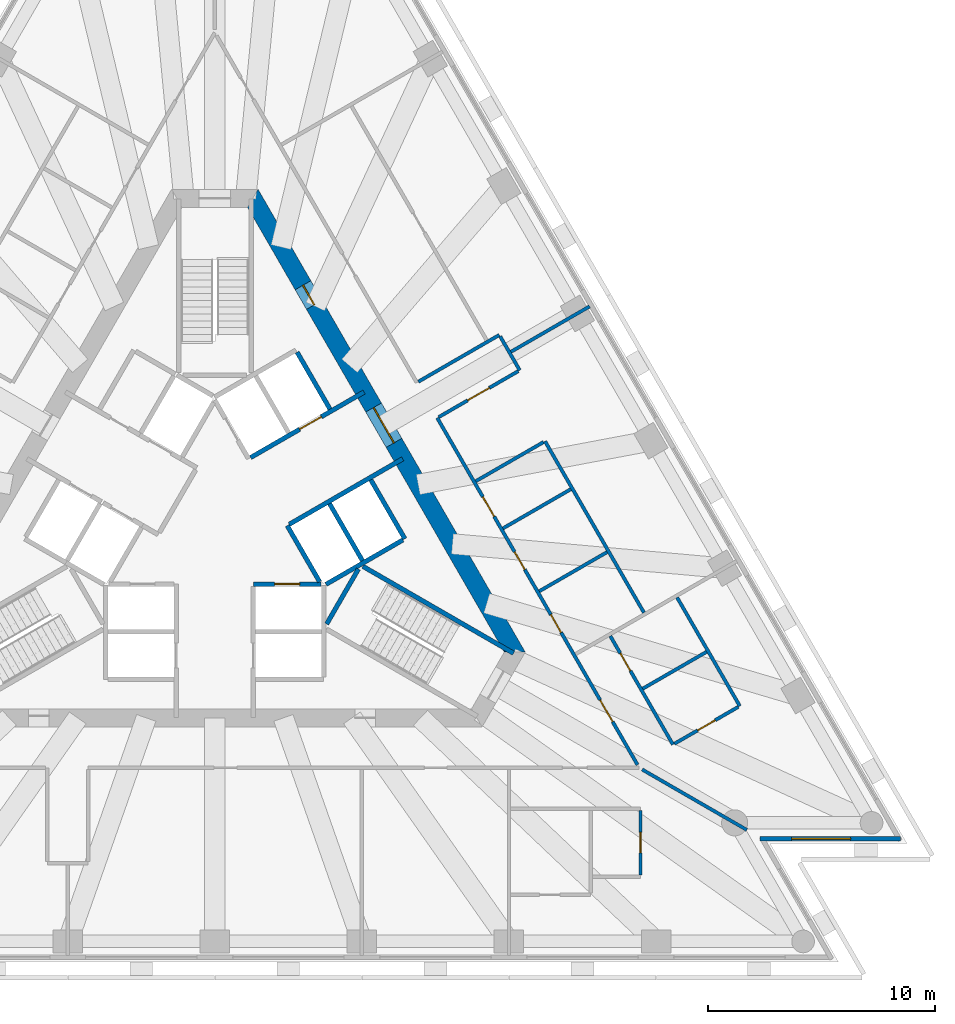
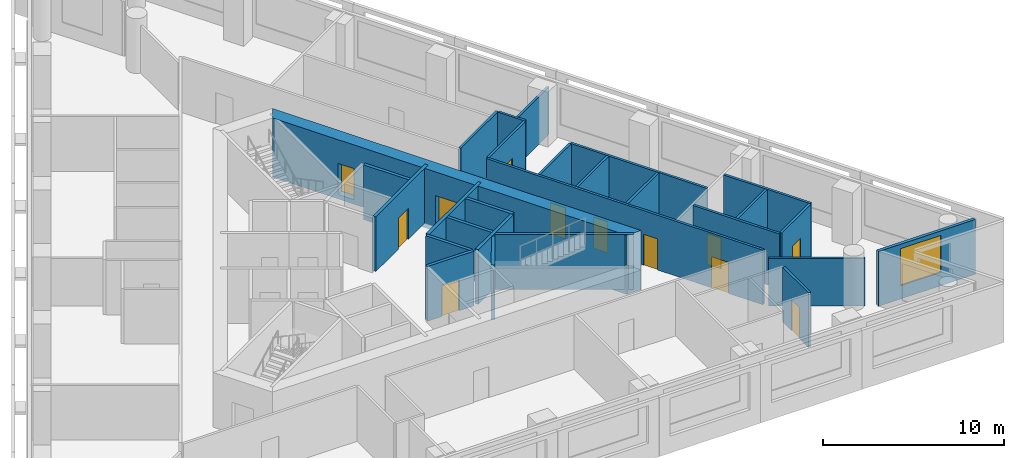
# One storey, part 5 of 9: 27 walls, 12 doors, 1 window, 13 openings.
"""IFC4 building model written with IfcOpenShell, lengths in metres."""

import ifcopenshell
import ifcopenshell.guid

model = None  # the IFC model being written
_history = None  # IfcOwnerHistory: only IFC2X3 demands one
_inside = {}  # id of a spatial element -> (the spatial element, [elements in it])
_under = {}  # id of a project, library or spatial element -> (it, [spatial elements below it])
_declared = {}  # id of a project -> (the project, [libraries it declares])
_typed = {}  # id of a type object -> (the type object, [elements of that type])
_made_of = {}  # id of a material, layer set ... -> (it, [elements and type objects made of it])


def new_model(schema):
    """Start an empty IFC model of exactly this schema.

    Asked for "IFC4X3", IfcOpenShell would pick the latest addendum, in which some entities
    have other attributes; the version numbers below select the first issue.
    IFC2X3 requires an IfcOwnerHistory on every rooted entity: one is made here for all.
    """
    global model, _history
    if schema == "IFC4X3":
        model = ifcopenshell.file(schema_version=(4, 3, 0, 0))
    else:
        model = ifcopenshell.file(schema=schema)
    _inside.clear()
    _under.clear()
    _declared.clear()
    _typed.clear()
    _made_of.clear()
    _history = None
    if model.schema == "IFC2X3":
        org = make("IfcOrganization", Name="unknown")
        user = make(
            "IfcPersonAndOrganization",
            ThePerson=make("IfcPerson", FamilyName="unknown"),
            TheOrganization=org,
        )
        app = make(
            "IfcApplication",
            ApplicationDeveloper=org,
            Version="unknown",
            ApplicationFullName="unknown",
            ApplicationIdentifier="unknown",
        )
        _history = make(
            "IfcOwnerHistory",
            OwningUser=user,
            OwningApplication=app,
            ChangeAction="ADDED",
            CreationDate=0,
        )
    return model


def make(cls, **values):
    """One entity of the class cls with the attributes given. An attribute that is None is left unset."""
    return model.create_entity(
        cls, **{name: value for name, value in values.items() if value is not None}
    )


def rooted(cls, **values):
    """An entity with a GlobalId (a new one), such as an element, a storey or a relation."""
    return make(cls, GlobalId=ifcopenshell.guid.new(), OwnerHistory=_history, **values)


def si_unit(unit_type, name, prefix=None):
    """IfcSIUnit, for example si_unit("LENGTHUNIT", "METRE", prefix="MILLI")."""
    return make("IfcSIUnit", UnitType=unit_type, Prefix=prefix, Name=name)


def assignment(units):
    """IfcUnitAssignment: the units of a project."""
    return None if units is None else make("IfcUnitAssignment", Units=units)


def point(xyz):
    """IfcCartesianPoint."""
    return None if xyz is None else make("IfcCartesianPoint", Coordinates=xyz)


def direction(xyz):
    """IfcDirection."""
    return None if xyz is None else make("IfcDirection", DirectionRatios=xyz)


def frame(location, z_axis=None, x_axis=None):
    """IfcAxis2Placement3D, a coordinate frame: its origin and axes. An axis left out is left unset."""
    return make(
        "IfcAxis2Placement3D",
        Location=point(location),
        Axis=direction(z_axis),
        RefDirection=direction(x_axis),
    )


def frame_2d(location, x_axis=None):
    """IfcAxis2Placement2D, a coordinate frame in the plane: its origin and x axis."""
    return make(
        "IfcAxis2Placement2D", Location=point(location), RefDirection=direction(x_axis)
    )


def origin():
    """The frame at (0, 0, 0) with its axes left unset."""
    return frame((0.0, 0.0, 0.0))


def place(relative_to, where):
    """IfcLocalPlacement: puts the frame where relative to a parent placement (None: the world)."""
    return make(
        "IfcLocalPlacement", PlacementRelTo=relative_to, RelativePlacement=where
    )


def context(
    kind, dimensions, precision=None, world=None, true_north=None, identifier=None
):
    """IfcGeometricRepresentationContext, for example the 3D "Model" context."""
    return make(
        "IfcGeometricRepresentationContext",
        ContextIdentifier=identifier,
        ContextType=kind,
        CoordinateSpaceDimension=dimensions,
        Precision=precision,
        WorldCoordinateSystem=world,
        TrueNorth=true_north,
    )


def subcontext(parent, identifier, kind, view, scale=None):
    """IfcGeometricRepresentationSubContext, for example "Body" below "Model"."""
    return make(
        "IfcGeometricRepresentationSubContext",
        ContextIdentifier=identifier,
        ContextType=kind,
        ParentContext=parent,
        TargetScale=scale,
        TargetView=view,
    )


def project(units=None, contexts=None):
    """IfcProject with its units and contexts."""
    return rooted(
        "IfcProject",
        Name="project",
        RepresentationContexts=contexts,
        UnitsInContext=assignment(units),
    )


def spatial(cls, under=None, at=None, **own):
    """A site, building, storey or space (cls), placed at a placement, below another one or the project."""
    s = rooted(cls, ObjectPlacement=at, **own)
    if under is not None:
        _under.setdefault(under.id(), (under, []))[1].append(s)
    return s


def polyline(points):
    """IfcPolyline through the points."""
    return make("IfcPolyline", Points=[point(p) for p in points])


def profile(cls, at=None, kind="AREA", **sizes):
    """A parametric profile (cls). Its sizes go by their IFC names, for example OverallWidth=200.0."""
    return make(cls, ProfileType=kind, Position=at, **sizes)


def rectangle(**sizes):
    """IfcRectangleProfileDef."""
    return profile("IfcRectangleProfileDef", **sizes)


def outline(outer, holes=None, kind="AREA"):
    """IfcArbitraryClosedProfileDef: a profile drawn as a closed curve; with holes, ...WithVoids."""
    if holes is None:
        return make("IfcArbitraryClosedProfileDef", ProfileType=kind, OuterCurve=outer)
    return make(
        "IfcArbitraryProfileDefWithVoids",
        ProfileType=kind,
        OuterCurve=outer,
        InnerCurves=holes,
    )


def extrude(swept, where, along, depth):
    """IfcExtrudedAreaSolid: the profile swept, set in the frame where, extruded along a direction by depth."""
    return make(
        "IfcExtrudedAreaSolid",
        SweptArea=swept,
        Position=where,
        ExtrudedDirection=direction(along),
        Depth=depth,
    )


def shape(context_of_items, identifier, shape_type, items):
    """IfcShapeRepresentation: the items that make up one representation, for example the "Body"."""
    return make(
        "IfcShapeRepresentation",
        ContextOfItems=context_of_items,
        RepresentationIdentifier=identifier,
        RepresentationType=shape_type,
        Items=items,
    )


def material(Name=None, Category=None):
    """IfcMaterial."""
    return make("IfcMaterial", Name=Name, Category=Category)


def layer(
    of_material, thickness, ventilated=None, Name=None, Category=None, Priority=None
):
    """IfcMaterialLayer: one layer of a wall or slab, of a material (None: an air gap)."""
    return make(
        "IfcMaterialLayer",
        Material=of_material,
        LayerThickness=thickness,
        IsVentilated=ventilated,
        Name=Name,
        Category=Category,
        Priority=Priority,
    )


def layer_set(layers, Name=None):
    """IfcMaterialLayerSet."""
    return make("IfcMaterialLayerSet", MaterialLayers=layers, LayerSetName=Name)


def layer_usage(for_layer_set, set_direction, sense, offset, extent=None):
    """IfcMaterialLayerSetUsage: how a layer set lies in its element."""
    return make(
        "IfcMaterialLayerSetUsage",
        ForLayerSet=for_layer_set,
        LayerSetDirection=set_direction,
        DirectionSense=sense,
        OffsetFromReferenceLine=offset,
        ReferenceExtent=extent,
    )


def made_of(thing, what):
    """Note that an element or type object is made of a material, layer set ...; save() writes the relation."""
    if what is not None:
        _made_of.setdefault(what.id(), (what, []))[1].append(thing)
    return thing


def type_object(cls, material=None, **own):
    """A type object (cls), such as IfcWallType, which elements share."""
    return made_of(rooted(cls, **own), material)


def element(
    cls,
    number,
    at=None,
    inside=None,
    cuts=None,
    type_object=None,
    material=None,
    context=None,
    identifier="Body",
    shape_type=None,
    held_by="IfcProductDefinitionShape",
    body=None,
    shapes=None,
    **own,
):
    """One element of the class cls, such as IfcWall. Its Tag is "e" and its number.

    at: its placement. inside: the storey or other place that contains it. cuts: it is an
    opening in that element (IfcRelVoidsElement). A single representation is given by context,
    identifier, shape_type and body (its items); several are given by shapes. held_by: the class
    of the entity that holds the representations. save() writes the other relations.
    """
    e = rooted(cls, Tag="e%d" % number, ObjectPlacement=at, **own)
    if body is not None:
        shapes = [shape(context, identifier, shape_type, body)]
    if shapes is not None:
        e.Representation = make(held_by, Representations=shapes)
    if inside is not None:
        _inside.setdefault(inside.id(), (inside, []))[1].append(e)
    if cuts is not None:
        rooted(
            "IfcRelVoidsElement", RelatingBuildingElement=cuts, RelatedOpeningElement=e
        )
    if type_object is not None:
        _typed.setdefault(type_object.id(), (type_object, []))[1].append(e)
    return made_of(e, material)


def fill(opening, filler):
    """IfcRelFillsElement: the door or window that sits in an opening."""
    return rooted(
        "IfcRelFillsElement",
        RelatingOpeningElement=opening,
        RelatedBuildingElement=filler,
    )


def aggregate(whole, parts):
    """IfcRelAggregates: a whole, such as a stair, and the parts it consists of."""
    return rooted("IfcRelAggregates", RelatingObject=whole, RelatedObjects=parts)


def save(model, path):
    """Write the relations noted so far, then the file.

    IfcRelAggregates (storeys below a building ...), IfcRelContainedInSpatialStructure (elements
    in a storey), IfcRelDefinesByType, IfcRelAssociatesMaterial and IfcRelDeclares: one each for
    every whole, place, type object, material and project.
    """
    for whole, parts in _under.values():
        aggregate(whole, parts)
    for where, things in _inside.values():
        rooted(
            "IfcRelContainedInSpatialStructure",
            RelatedElements=things,
            RelatingStructure=where,
        )
    for kind, things in _typed.values():
        rooted("IfcRelDefinesByType", RelatedObjects=things, RelatingType=kind)
    for what, things in _made_of.values():
        rooted("IfcRelAssociatesMaterial", RelatedObjects=things, RelatingMaterial=what)
    for by, libraries in _declared.values():
        rooted("IfcRelDeclares", RelatingContext=by, RelatedDefinitions=libraries)
    model.write(path)


model = new_model("IFC4")

# Units and contexts
model_context = context("Model", 3, precision=1e-05, world=origin(), true_north=direction((0.0, 1.0)))
body_context = subcontext(model_context, "Body", "Model", "MODEL_VIEW")
ifc_project = project(units=[si_unit("LENGTHUNIT", "METRE"), si_unit("AREAUNIT", "SQUARE_METRE"), si_unit("VOLUMEUNIT", "CUBIC_METRE"), si_unit("PLANEANGLEUNIT", "RADIAN"), si_unit("MASSUNIT", "GRAM", prefix="KILO")], contexts=[model_context])

# Site, building, storey
site_placement = place(None, origin())
site = spatial("IfcSite", under=ifc_project, at=site_placement, CompositionType="ELEMENT")
building_placement = place(site_placement, origin())
building = spatial("IfcBuilding", under=site, at=building_placement, Name="Triada Interchange Tower", CompositionType="ELEMENT")
storey_placement = place(building_placement, frame((0.0, 0.0, 168.300048828125)))
storey = spatial("IfcBuildingStorey", under=building, at=storey_placement, Name="L39", CompositionType="ELEMENT", Elevation=168.300048828125)

# Wall, opening, door
ifc_material_1 = material(Name="Concrete C30/37", Category="concrete")
ifc_layer_1 = layer(ifc_material_1, 0.199951171875)
ifc_layer_set_1 = layer_set([ifc_layer_1], Name="CORE WALL 200 EI 120")
wall_type_1 = type_object("IfcWallType", Name="CORE WALL 200 EI 120", PredefinedType="SOLIDWALL", material=ifc_layer_set_1)
wall_1_placement = place(storey_placement, frame((1.702880859375, -2.699951171875, 0.0), z_axis=(0.0, 0.0, 1.0), x_axis=(1.0, 0.0, 0.0)))
wall_1 = element("IfcWall", 1, at=wall_1_placement, inside=storey, type_object=wall_type_1, Name="Wall L38 57", PredefinedType="SOLIDWALL", context=body_context, shape_type="SweptSolid", body=[
    extrude(rectangle(XDim=2.97314453125, YDim=0.199951171875, at=frame_2d((1.486572265625, 0.0))), origin(), (0.0, 0.0, 1.0), 3.699951171875),
])
opening_1_placement = place(wall_1_placement, frame((0.93603515625, 0.0, 0.0)))
opening_1 = element("IfcOpeningElement", 2, at=opening_1_placement, cuts=wall_1, Name="Opening LD-LR1", PredefinedType="OPENING", context=body_context, shape_type="SweptSolid", body=[
    extrude(rectangle(XDim=1.10009765625, YDim=2.10009765625, at=frame_2d((0.550048828125, 1.050048828125))), frame((0.0, 0.10986328125, 0.0), z_axis=(0.0, -1.0, 0.0), x_axis=(1.0, 0.0, 0.0)), (0.0, 0.0, 1.0), 0.219970703125),
])
ifc_material_2 = material(Name="Steel S235 door leaf", Category="steel")
door_type_1 = type_object("IfcDoorType", Name="LIFT LANDING DOOR 1100 EI 120", OperationType="SLIDING_TO_LEFT", PredefinedType="DOOR", material=ifc_material_2)
door_1_placement = place(opening_1_placement, origin())
door_1 = element("IfcDoor", 3, at=door_1_placement, inside=storey, type_object=door_type_1, Name="LR1 landing door L39", OperationType="SLIDING_TO_LEFT", OverallHeight=2.10009765625, OverallWidth=1.10009765625, PredefinedType="DOOR", context=body_context, shape_type="SweptSolid", body=[
    extrude(rectangle(XDim=1.10009765625, YDim=2.10009765625, at=frame_2d((0.550048828125, 1.050048828125))), frame((0.0, 0.02490234375, 0.0), z_axis=(0.0, -1.0, 0.0), x_axis=(1.0, 0.0, 0.0)), (0.0, 0.0, 1.0), 0.050048828125),
])
fill(opening_1, door_1)

# Wall
wall_2_placement = place(storey_placement, frame((3.18994140625, -0.125, 0.0), z_axis=(0.0, 0.0, 1.0), x_axis=(0.499988658015, -0.866031951983, 0.0)))
element("IfcWall", 4, at=wall_2_placement, inside=storey, type_object=wall_type_1, Name="Wall L38 60", PredefinedType="SOLIDWALL", context=body_context, shape_type="SweptSolid", body=[
    extrude(rectangle(XDim=2.85791015625, YDim=0.199951171875, at=frame_2d((1.428955078125, 0.0))), origin(), (0.0, 0.0, 1.0), 3.699951171875),
])

# Wall, opening, door
wall_3_placement = place(storey_placement, frame((1.576904296875, 2.8740234375, 0.0), z_axis=(0.0, 0.0, 1.0), x_axis=(0.866073694534, 0.499916348638, 0.0)))
wall_3 = element("IfcWall", 5, at=wall_3_placement, inside=storey, type_object=wall_type_1, Name="Wall L38 61", PredefinedType="SOLIDWALL", context=body_context, shape_type="SweptSolid", body=[
    extrude(rectangle(XDim=5.77685546875, YDim=0.199951171875, at=frame_2d((2.888427734375, 0.0))), origin(), (0.0, 0.0, 1.0), 3.699951171875),
])
opening_2_placement = place(wall_3_placement, frame((2.4970703125, 0.0, 0.0)))
opening_2 = element("IfcOpeningElement", 6, at=opening_2_placement, cuts=wall_3, Name="Opening LD-LR6", PredefinedType="OPENING", context=body_context, shape_type="SweptSolid", body=[
    extrude(rectangle(XDim=1.10009765625, YDim=2.10009765625, at=frame_2d((0.550048828125, 1.050048828125))), frame((0.0, 0.10986328125, 0.0), z_axis=(0.0, -1.0, 0.0), x_axis=(1.0, 0.0, 0.0)), (0.0, 0.0, 1.0), 0.219970703125),
])
door_2_placement = place(opening_2_placement, origin())
door_2 = element("IfcDoor", 7, at=door_2_placement, inside=storey, type_object=door_type_1, Name="LR6 landing door L39", OperationType="SLIDING_TO_LEFT", OverallHeight=2.10009765625, OverallWidth=1.10009765625, PredefinedType="DOOR", context=body_context, shape_type="SweptSolid", body=[
    extrude(rectangle(XDim=1.10009765625, YDim=2.10009765625, at=frame_2d((0.550048828125, 1.050048828125))), frame((0.0, 0.02490234375, 0.0), z_axis=(0.0, -1.0, 0.0), x_axis=(1.0, 0.0, 0.0)), (0.0, 0.0, 1.0), 0.050048828125),
])
fill(opening_2, door_2)

# Walls
wall_4_placement = place(storey_placement, frame((3.6259765625, 7.52001953125, 0.0), z_axis=(0.0, 0.0, 1.0), x_axis=(0.500060147554, -0.865990674793, 0.0)))
element("IfcWall", 8, at=wall_4_placement, inside=storey, type_object=wall_type_1, Name="Wall L38 64", PredefinedType="SOLIDWALL", context=body_context, shape_type="SweptSolid", body=[
    extrude(rectangle(XDim=2.899658203125, YDim=0.199951171875, at=frame_2d((1.44970703125, 0.0))), origin(), (0.0, 0.0, 1.0), 3.699951171875),
])
wall_5_placement = place(storey_placement, frame((6.8759765625, 1.89111328125, 0.0), z_axis=(0.0, 0.0, 1.0), x_axis=(0.499990139034, -0.866031096941, 0.0)))
element("IfcWall", 9, at=wall_5_placement, inside=storey, type_object=wall_type_1, Name="Wall L38 65", PredefinedType="SOLIDWALL", context=body_context, shape_type="SweptSolid", body=[
    extrude(rectangle(XDim=3.0, YDim=0.199951171875, at=frame_2d((1.5, 0.0))), origin(), (0.0, 0.0, 1.0), 3.699951171875),
])
wall_6_placement = place(storey_placement, frame((5.056884765625, 0.841064453125, 0.0), z_axis=(0.0, 0.0, 1.0), x_axis=(0.50012328804, -0.865954211699, 0.0)))
element("IfcWall", 10, at=wall_6_placement, inside=storey, type_object=wall_type_1, Name="Wall L38 67", PredefinedType="SOLIDWALL", context=body_context, shape_type="SweptSolid", body=[
    extrude(rectangle(XDim=2.899658203125, YDim=0.199951171875, at=frame_2d((1.44970703125, 0.0))), origin(), (0.0, 0.0, 1.0), 3.699951171875),
])
wall_7_placement = place(storey_placement, frame((3.278076171875, -0.071044921875, 0.0), z_axis=(0.0, 0.0, 1.0), x_axis=(0.865929348003, 0.5001663366, 0.0)))
element("IfcWall", 11, at=wall_7_placement, inside=storey, type_object=wall_type_1, Name="Wall L38 68", PredefinedType="SOLIDWALL", context=body_context, shape_type="SweptSolid", body=[
    extrude(rectangle(XDim=5.7763671875, YDim=0.199951171875, at=frame_2d((2.88818359375, 0.0))), origin(), (0.0, 0.0, 1.0), 3.699951171875),
])
wall_8_placement = place(storey_placement, frame((4.89990234375, -2.714111328125, 0.0), z_axis=(0.0, 0.0, 1.0), x_axis=(0.865992350556, 0.500057245502, 0.0)))
element("IfcWall", 12, at=wall_8_placement, inside=storey, type_object=wall_type_1, Name="Wall L38 69", PredefinedType="SOLIDWALL", context=body_context, shape_type="SweptSolid", body=[
    extrude(rectangle(XDim=3.91357421875, YDim=0.199951171875, at=frame_2d((1.956787109375, 0.0))), origin(), (0.0, 0.0, 1.0), 3.699951171875),
])
ifc_layer_2 = layer(ifc_material_1, 0.199951171875)
ifc_layer_set_2 = layer_set([ifc_layer_2], Name="CORE WALL 200 REI 240")
wall_type_2 = type_object("IfcWallType", Name="CORE WALL 200 REI 240", PredefinedType="SOLIDWALL", material=ifc_layer_set_2)
wall_9_placement = place(storey_placement, frame((4.928955078125, -4.4619140625, 0.0), z_axis=(0.0, 0.0, 1.0), x_axis=(0.500200581029, 0.865909567298, 0.0)))
element("IfcWall", 13, at=wall_9_placement, inside=storey, type_object=wall_type_2, Name="Wall L38 92", PredefinedType="SOLIDWALL", context=body_context, shape_type="SweptSolid", body=[
    extrude(rectangle(XDim=2.799072265625, YDim=0.199951171875, at=frame_2d((1.3994140625, 0.0))), origin(), (0.0, 0.0, 1.0), 3.699951171875),
])
wall_10_placement = place(storey_placement, frame((6.529052734375, -1.922119140625, 0.0), z_axis=(0.0, 0.0, 1.0), x_axis=(0.866060938598, -0.499938446846, 0.0)))
element("IfcWall", 14, at=wall_10_placement, inside=storey, type_object=wall_type_2, Name="Wall L38 93", PredefinedType="SOLIDWALL", context=body_context, shape_type="SweptSolid", body=[
    extrude(rectangle(XDim=7.66455078125, YDim=0.199951171875, at=frame_2d((3.832275390625, 0.0))), origin(), (0.0, 0.0, 1.0), 3.699951171875),
])

# Wall, openings, doors
ifc_material_3 = material(Name="Concrete C60/75", Category="concrete")
ifc_layer_3 = layer(ifc_material_3, 0.800048828125)
ifc_layer_set_3 = layer_set([ifc_layer_3], Name="Core wall B 800")
wall_type_3 = type_object("IfcWallType", Name="Core wall B 800", PredefinedType="SHEAR", material=ifc_layer_set_3)
wall_11_placement = place(storey_placement, frame((13.220947265625, -5.699951171875, -0.300048828125), z_axis=(0.0, 0.0, 1.0), x_axis=(-0.499995765644, 0.866027848477, 0.0)))
wall_11 = element("IfcWall", 15, at=wall_11_placement, inside=storey, type_object=wall_type_3, Name="Core wall WB06 L39", PredefinedType="SHEAR", context=body_context, shape_type="SweptSolid", body=[
    extrude(outline(polyline([(-0.23095703125, -0.39990234375), (1.73193359375, -0.39990234375), (3.695068359375, -0.39990234375), (5.657958984375, -0.39990234375), (7.62109375, -0.39990234375), (9.583984375, -0.39990234375), (11.546875, -0.39990234375), (13.510009765625, -0.39990234375), (15.472900390625, -0.39990234375), (17.43603515625, -0.39990234375), (19.39892578125, -0.39990234375), (21.362060546875, -0.39990234375), (23.324951171875, -0.39990234375), (22.863037109375, 0.39990234375), (20.97705078125, 0.39990234375), (19.091064453125, 0.39990234375), (17.205078125, 0.39990234375), (15.319091796875, 0.39990234375), (13.43310546875, 0.39990234375), (11.546875, 0.39990234375), (9.660888671875, 0.39990234375), (7.77490234375, 0.39990234375), (5.888916015625, 0.39990234375), (4.0029296875, 0.39990234375), (2.116943359375, 0.39990234375), (0.23095703125, 0.39990234375), (-0.23095703125, -0.39990234375)])), origin(), (0.0, 0.0, 1.0), 4.0),
])
opening_3_placement = place(wall_11_placement, frame((10.64697265625, 0.0, 0.300048828125)))
opening_3 = element("IfcOpeningElement", 16, at=opening_3_placement, cuts=wall_11, Name="Opening D38-35", PredefinedType="OPENING", context=body_context, shape_type="SweptSolid", body=[
    extrude(rectangle(XDim=1.800048828125, YDim=2.10009765625, at=frame_2d((0.89990234375, 1.050048828125))), frame((0.0, 0.409912109375, 0.0), z_axis=(0.0, -1.0, 0.0), x_axis=(1.0, 0.0, 0.0)), (0.0, 0.0, 1.0), 0.820068359375),
])
opening_4_placement = place(wall_11_placement, frame((17.6708984375, 0.0, 0.300048828125)))
opening_4 = element("IfcOpeningElement", 17, at=opening_4_placement, cuts=wall_11, Name="Opening D38-41", PredefinedType="OPENING", context=body_context, shape_type="SweptSolid", body=[
    extrude(rectangle(XDim=1.0, YDim=2.10009765625, at=frame_2d((0.5, 1.050048828125))), frame((0.0, 0.409912109375, 0.0), z_axis=(0.0, -1.0, 0.0), x_axis=(1.0, 0.0, 0.0)), (0.0, 0.0, 1.0), 0.820068359375),
])
door_type_2 = type_object("IfcDoorType", Name="LOBBY DOOR 1800 EI2 90-C5S200", OperationType="DOUBLE_DOOR_SINGLE_SWING", PredefinedType="DOOR", material=ifc_material_2)
door_3_placement = place(opening_3_placement, origin())
door_3 = element("IfcDoor", 18, at=door_3_placement, inside=storey, type_object=door_type_2, Name="Door D38-35 L39", OperationType="DOUBLE_DOOR_SINGLE_SWING", OverallHeight=2.10009765625, OverallWidth=1.800048828125, PredefinedType="DOOR", context=body_context, shape_type="SweptSolid", body=[
    extrude(rectangle(XDim=1.800048828125, YDim=2.10009765625, at=frame_2d((0.89990234375, 1.050048828125))), frame((0.0, 0.02490234375, 0.0), z_axis=(0.0, -1.0, 0.0), x_axis=(1.0, 0.0, 0.0)), (0.0, 0.0, 1.0), 0.050048828125),
])
fill(opening_3, door_3)
door_type_3 = type_object("IfcDoorType", Name="SERVICE DOOR 1000 EI2 45-C5S200", OperationType="NOTDEFINED", PredefinedType="DOOR", material=ifc_material_2)
door_4_placement = place(opening_4_placement, origin())
door_4 = element("IfcDoor", 19, at=door_4_placement, inside=storey, type_object=door_type_3, Name="Door D38-41 L39", OperationType="SINGLE_SWING_RIGHT", OverallHeight=2.10009765625, OverallWidth=1.0, PredefinedType="DOOR", context=body_context, shape_type="SweptSolid", body=[
    extrude(rectangle(XDim=1.0, YDim=2.10009765625, at=frame_2d((0.5, 1.050048828125))), frame((0.0, 0.02490234375, 0.0), z_axis=(0.0, -1.0, 0.0), x_axis=(1.0, 0.0, 0.0)), (0.0, 0.0, 1.0), 0.050048828125),
])
fill(opening_4, door_4)

# Wall, opening, window
ifc_material_4 = material(Name="Cement board")
ifc_layer_4 = layer(ifc_material_4, 0.02001953125, Name="Cement board cladding")
ifc_material_5 = material(Name="Sheathing board")
ifc_layer_5 = layer(ifc_material_5, 0.014892578125, Name="Sheathing board")
ifc_material_6 = material(Name="Mineral wool")
ifc_layer_6 = layer(ifc_material_6, 0.14990234375, Name="Mineral wool between steel studs")
ifc_material_7 = material(Name="Gypsum board")
ifc_layer_7 = layer(ifc_material_7, 0.014892578125, Name="Plasterboard lining")
ifc_layer_set_4 = layer_set([ifc_layer_4, ifc_layer_5, ifc_layer_6, ifc_layer_7], Name="External wall 200")
ifc_layer_usage = layer_usage(ifc_layer_set_4, "AXIS2", "POSITIVE", -0.10009765625)
wall_type_4 = type_object("IfcWallType", Name="External wall 200", PredefinedType="ELEMENTEDWALL", material=ifc_layer_set_4)
wall_12_placement = place(storey_placement, frame((24.034912109375, -13.927978515625, 0.0), z_axis=(0.0, 0.0, 1.0), x_axis=(1.0, 0.0, 0.0)))
wall_12 = element("IfcWall", 20, at=wall_12_placement, inside=storey, type_object=wall_type_4, material=ifc_layer_usage, Name="External wall L39 SE-2", PredefinedType="ELEMENTEDWALL", context=body_context, shape_type="SweptSolid", body=[
    extrude(rectangle(XDim=6.194091796875, YDim=0.199951171875, at=frame_2d((3.09716796875, 0.0))), origin(), (0.0, 0.0, 1.0), 3.699951171875),
])
opening_5_placement = place(wall_12_placement, frame((1.389892578125, 0.0, 0.89990234375)))
opening_5 = element("IfcOpeningElement", 21, at=opening_5_placement, cuts=wall_12, Name="Opening WB20", PredefinedType="OPENING", context=body_context, shape_type="SweptSolid", body=[
    extrude(rectangle(XDim=2.60009765625, YDim=2.5, at=frame_2d((1.300048828125, 1.25))), frame((0.0, 0.10986328125, 0.0), z_axis=(0.0, -1.0, 0.0), x_axis=(1.0, 0.0, 0.0)), (0.0, 0.0, 1.0), 0.219970703125),
])
ifc_material_8 = material(Name="Double glazed aluminium window", Category="aluminium")
window_type = type_object("IfcWindowType", Name="Ribbon window B pocket", PartitioningType="SINGLE_PANEL", PredefinedType="WINDOW", material=ifc_material_8)
window_placement = place(opening_5_placement, origin())
window = element("IfcWindow", 22, at=window_placement, inside=storey, type_object=window_type, Name="Window L39 SE-2 1", OverallHeight=2.5, OverallWidth=2.60009765625, PartitioningType="SINGLE_PANEL", PredefinedType="WINDOW", context=body_context, shape_type="SweptSolid", body=[
    extrude(rectangle(XDim=2.60009765625, YDim=2.5, at=frame_2d((1.300048828125, 1.25))), frame((0.0, 0.030029296875, 0.0), z_axis=(0.0, -1.0, 0.0), x_axis=(1.0, 0.0, 0.0)), (0.0, 0.0, 1.0), 0.06005859375),
])
fill(opening_5, window)

# Walls
ifc_material_9 = material(Name="Gypsum board partition")
ifc_layer_8 = layer(ifc_material_9, 0.14990234375)
ifc_layer_set_5 = layer_set([ifc_layer_8], Name="PARTITION 150 EI 180")
wall_type_5 = type_object("IfcWallType", Name="PARTITION 150 EI 180", PredefinedType="PARTITIONING", material=ifc_layer_set_5)
wall_13_placement = place(storey_placement, frame((13.054931640625, 7.537109375, 0.0), z_axis=(0.0, 0.0, 1.0), x_axis=(0.866026010844, 0.49999894854, 0.0)))
element("IfcWall", 23, at=wall_13_placement, inside=storey, type_object=wall_type_5, Name="Wall L38 2", PredefinedType="PARTITIONING", context=body_context, shape_type="SweptSolid", body=[
    extrude(rectangle(XDim=4.0, YDim=0.14990234375, at=frame_2d((2.0, 0.0))), origin(), (0.0, 0.0, 1.0), 3.199951171875),
])
wall_14_placement = place(storey_placement, frame((18.8349609375, -10.875, 0.0), z_axis=(0.0, 0.0, 1.0), x_axis=(0.866012362072, -0.500022588228, 0.0)))
element("IfcWall", 24, at=wall_14_placement, inside=storey, type_object=wall_type_5, Name="Wall L38 11", PredefinedType="PARTITIONING", context=body_context, shape_type="SweptSolid", body=[
    extrude(rectangle(XDim=5.327880859375, YDim=0.14990234375, at=frame_2d((2.6640625, 0.0))), origin(), (0.0, 0.0, 1.0), 3.199951171875),
])

# Wall, openings, doors
wall_15_placement = place(storey_placement, frame((9.803955078125, 4.6201171875, 0.0), z_axis=(0.0, 0.0, 1.0), x_axis=(0.500000173646, -0.86602530353, 0.0)))
wall_15 = element("IfcWall", 25, at=wall_15_placement, inside=storey, type_object=wall_type_5, Name="Wall L38 26", PredefinedType="PARTITIONING", context=body_context, shape_type="SweptSolid", body=[
    extrude(rectangle(XDim=17.654296875, YDim=0.14990234375, at=frame_2d((8.8271484375, 0.0))), origin(), (0.0, 0.0, 1.0), 3.699951171875),
])
opening_6_placement = place(wall_15_placement, frame((14.35400390625, 0.0, 0.0)))
opening_6 = element("IfcOpeningElement", 26, at=opening_6_placement, cuts=wall_15, Name="Opening D38-17", PredefinedType="OPENING", context=body_context, shape_type="SweptSolid", body=[
    extrude(rectangle(XDim=1.10009765625, YDim=2.10009765625, at=frame_2d((0.550048828125, 1.050048828125))), frame((0.0, 0.0849609375, 0.0), z_axis=(0.0, -1.0, 0.0), x_axis=(1.0, 0.0, 0.0)), (0.0, 0.0, 1.0), 0.169921875),
])
opening_7_placement = place(wall_15_placement, frame((10.013916015625, 0.0, 0.0)))
opening_7 = element("IfcOpeningElement", 27, at=opening_7_placement, cuts=wall_15, Name="Opening D38-21", PredefinedType="OPENING", context=body_context, shape_type="SweptSolid", body=[
    extrude(rectangle(XDim=0.89990234375, YDim=2.10009765625, at=frame_2d((0.449951171875, 1.050048828125))), frame((0.0, 0.0849609375, 0.0), z_axis=(0.0, -1.0, 0.0), x_axis=(1.0, 0.0, 0.0)), (0.0, 0.0, 1.0), 0.169921875),
])
opening_8_placement = place(wall_15_placement, frame((6.81396484375, 0.0, 0.0)))
opening_8 = element("IfcOpeningElement", 28, at=opening_8_placement, cuts=wall_15, Name="Opening D38-22", PredefinedType="OPENING", context=body_context, shape_type="SweptSolid", body=[
    extrude(rectangle(XDim=0.89990234375, YDim=2.10009765625, at=frame_2d((0.449951171875, 1.050048828125))), frame((0.0, 0.0849609375, 0.0), z_axis=(0.0, -1.0, 0.0), x_axis=(1.0, 0.0, 0.0)), (0.0, 0.0, 1.0), 0.169921875),
])
opening_9_placement = place(wall_15_placement, frame((4.013916015625, 0.0, 0.0)))
opening_9 = element("IfcOpeningElement", 29, at=opening_9_placement, cuts=wall_15, Name="Opening D38-23", PredefinedType="OPENING", context=body_context, shape_type="SweptSolid", body=[
    extrude(rectangle(XDim=1.0, YDim=2.10009765625, at=frame_2d((0.5, 1.050048828125))), frame((0.0, 0.0849609375, 0.0), z_axis=(0.0, -1.0, 0.0), x_axis=(1.0, 0.0, 0.0)), (0.0, 0.0, 1.0), 0.169921875),
])
door_type_4 = type_object("IfcDoorType", Name="ROOM DOOR 1000 EI2 90-C5S200", OperationType="NOTDEFINED", PredefinedType="DOOR", material=ifc_material_2)
door_5_placement = place(opening_9_placement, origin())
door_5 = element("IfcDoor", 30, at=door_5_placement, inside=storey, type_object=door_type_4, Name="Door D38-23 L39", OperationType="SINGLE_SWING_LEFT", OverallHeight=2.10009765625, OverallWidth=1.0, PredefinedType="DOOR", context=body_context, shape_type="SweptSolid", body=[
    extrude(rectangle(XDim=1.0, YDim=2.10009765625, at=frame_2d((0.5, 1.050048828125))), frame((0.0, 0.02490234375, 0.0), z_axis=(0.0, -1.0, 0.0), x_axis=(1.0, 0.0, 0.0)), (0.0, 0.0, 1.0), 0.050048828125),
])
fill(opening_9, door_5)
door_type_5 = type_object("IfcDoorType", Name="ROOM DOOR 900 EI2 90-C5S200", OperationType="NOTDEFINED", PredefinedType="DOOR", material=ifc_material_2)
door_6_placement = place(opening_7_placement, origin())
door_6 = element("IfcDoor", 31, at=door_6_placement, inside=storey, type_object=door_type_5, Name="Door D38-21 L39", OperationType="SINGLE_SWING_LEFT", OverallHeight=2.10009765625, OverallWidth=0.89990234375, PredefinedType="DOOR", context=body_context, shape_type="SweptSolid", body=[
    extrude(rectangle(XDim=0.89990234375, YDim=2.10009765625, at=frame_2d((0.449951171875, 1.050048828125))), frame((0.0, 0.02490234375, 0.0), z_axis=(0.0, -1.0, 0.0), x_axis=(1.0, 0.0, 0.0)), (0.0, 0.0, 1.0), 0.050048828125),
])
fill(opening_7, door_6)
door_7_placement = place(opening_8_placement, origin())
door_7 = element("IfcDoor", 32, at=door_7_placement, inside=storey, type_object=door_type_5, Name="Door D38-22 L39", OperationType="SINGLE_SWING_LEFT", OverallHeight=2.10009765625, OverallWidth=0.89990234375, PredefinedType="DOOR", context=body_context, shape_type="SweptSolid", body=[
    extrude(rectangle(XDim=0.89990234375, YDim=2.10009765625, at=frame_2d((0.449951171875, 1.050048828125))), frame((0.0, 0.02490234375, 0.0), z_axis=(0.0, -1.0, 0.0), x_axis=(1.0, 0.0, 0.0)), (0.0, 0.0, 1.0), 0.050048828125),
])
fill(opening_8, door_7)
door_type_6 = type_object("IfcDoorType", Name="TENANCY ENTRANCE DOOR 1100 EI2 90-C5S200", OperationType="NOTDEFINED", PredefinedType="DOOR", material=ifc_material_2)
door_8_placement = place(opening_6_placement, origin())
door_8 = element("IfcDoor", 33, at=door_8_placement, inside=storey, type_object=door_type_6, Name="Door D38-17 L39", OperationType="SINGLE_SWING_RIGHT", OverallHeight=2.10009765625, OverallWidth=1.10009765625, PredefinedType="DOOR", context=body_context, shape_type="SweptSolid", body=[
    extrude(rectangle(XDim=1.10009765625, YDim=2.10009765625, at=frame_2d((0.550048828125, 1.050048828125))), frame((0.0, 0.02490234375, 0.0), z_axis=(0.0, -1.0, 0.0), x_axis=(1.0, 0.0, 0.0)), (0.0, 0.0, 1.0), 0.050048828125),
])
fill(opening_6, door_8)

# Walls
wall_16_placement = place(storey_placement, frame((8.968994140625, 6.217041015625, 0.0), z_axis=(0.0, 0.0, 1.0), x_axis=(0.865997263264, 0.500048737644, 0.0)))
element("IfcWall", 34, at=wall_16_placement, inside=storey, type_object=wall_type_5, Name="Wall L38 28", PredefinedType="PARTITIONING", context=body_context, shape_type="SweptSolid", body=[
    extrude(rectangle(XDim=4.12353515625, YDim=0.14990234375, at=frame_2d((2.061767578125, 0.0))), origin(), (0.0, 0.0, 1.0), 3.699951171875),
])
wall_17_placement = place(storey_placement, frame((12.577880859375, 8.214111328125, 0.0), z_axis=(0.0, 0.0, 1.0), x_axis=(0.499746958151, -0.866171448282, 0.0)))
element("IfcWall", 35, at=wall_17_placement, inside=storey, type_object=wall_type_5, Name="Wall L38 29", PredefinedType="PARTITIONING", context=body_context, shape_type="SweptSolid", body=[
    extrude(rectangle(XDim=1.72509765625, YDim=0.14990234375, at=frame_2d((0.862548828125, 0.0))), origin(), (0.0, 0.0, 1.0), 3.699951171875),
])
wall_18_placement = place(storey_placement, frame((14.552978515625, 3.593017578125, 0.0), z_axis=(0.0, 0.0, 1.0), x_axis=(0.500054279689, -0.865994063124, 0.0)))
element("IfcWall", 36, at=wall_18_placement, inside=storey, type_object=wall_type_5, Name="Wall L38 31", PredefinedType="PARTITIONING", context=body_context, shape_type="SweptSolid", body=[
    extrude(rectangle(XDim=8.72509765625, YDim=0.14990234375, at=frame_2d((4.362548828125, 0.0))), origin(), (0.0, 0.0, 1.0), 3.699951171875),
])
wall_19_placement = place(storey_placement, frame((11.5, 1.8310546875, 0.0), z_axis=(0.0, 0.0, 1.0), x_axis=(0.866061862632, 0.499936846106, 0.0)))
element("IfcWall", 37, at=wall_19_placement, inside=storey, type_object=wall_type_5, Name="Wall L38 32", PredefinedType="PARTITIONING", context=body_context, shape_type="SweptSolid", body=[
    extrude(rectangle(XDim=3.4501953125, YDim=0.14990234375, at=frame_2d((1.72509765625, 0.0))), origin(), (0.0, 0.0, 1.0), 3.699951171875),
])

# Wall, opening, door
wall_20_placement = place(storey_placement, frame((9.868896484375, 4.657958984375, 0.0), z_axis=(0.0, 0.0, 1.0), x_axis=(0.865929493314, 0.500166085025, 0.0)))
wall_20 = element("IfcWall", 38, at=wall_20_placement, inside=storey, type_object=wall_type_5, Name="Wall L38 33", PredefinedType="PARTITIONING", context=body_context, shape_type="SweptSolid", body=[
    extrude(rectangle(XDim=4.048828125, YDim=0.14990234375, at=frame_2d((2.0244140625, 0.0))), origin(), (0.0, 0.0, 1.0), 3.699951171875),
])
opening_10_placement = place(wall_20_placement, frame((1.47412109375, 0.0, 0.0)))
opening_10 = element("IfcOpeningElement", 39, at=opening_10_placement, cuts=wall_20, Name="Opening D38-20", PredefinedType="OPENING", context=body_context, shape_type="SweptSolid", body=[
    extrude(rectangle(XDim=1.10009765625, YDim=2.10009765625, at=frame_2d((0.550048828125, 1.050048828125))), frame((0.0, 0.0849609375, 0.0), z_axis=(0.0, -1.0, 0.0), x_axis=(1.0, 0.0, 0.0)), (0.0, 0.0, 1.0), 0.169921875),
])
door_9_placement = place(opening_10_placement, origin())
door_9 = element("IfcDoor", 40, at=door_9_placement, inside=storey, type_object=door_type_6, Name="Door D38-20 L39", OperationType="SINGLE_SWING_LEFT", OverallHeight=2.10009765625, OverallWidth=1.10009765625, PredefinedType="DOOR", context=body_context, shape_type="SweptSolid", body=[
    extrude(rectangle(XDim=1.10009765625, YDim=2.10009765625, at=frame_2d((0.550048828125, 1.050048828125))), frame((0.0, 0.02490234375, 0.0), z_axis=(0.0, -1.0, 0.0), x_axis=(1.0, 0.0, 0.0)), (0.0, 0.0, 1.0), 0.050048828125),
])
fill(opening_10, door_9)

# Walls
for number, where, z_axis, x_axis, name in (
    (41, (12.699951171875, -0.248046875, 0.0), (0.0, 0.0, 1.0), (0.866031223622, 0.49998991961, 0.0), "Wall L38 34"),
    (42, (14.300048828125, -3.01904296875, 0.0), (0.0, 0.0, 1.0), (0.866031223622, 0.49998991961, 0.0), "Wall L38 36"),
):
    element("IfcWall", number, at=place(storey_placement, frame(where, z_axis=z_axis, x_axis=x_axis)), inside=storey, type_object=wall_type_5, Name=name, PredefinedType="PARTITIONING", context=body_context, shape_type="SweptSolid", body=[
        extrude(rectangle(XDim=3.4501953125, YDim=0.14990234375, at=frame_2d((1.72509765625, 0.0))), origin(), (0.0, 0.0, 1.0), 3.699951171875),
    ])

# Wall, opening, door
ifc_layer_9 = layer(ifc_material_9, 0.14990234375)
ifc_layer_set_6 = layer_set([ifc_layer_9], Name="PARTITION 150 EI 90")
wall_type_6 = type_object("IfcWallType", Name="PARTITION 150 EI 90", PredefinedType="PARTITIONING", material=ifc_layer_set_6)
wall_21_placement = place(storey_placement, frame((18.763916015625, -15.52490234375, 0.0), z_axis=(0.0, 0.0, 1.0), x_axis=(0.0, 1.0, 0.0)))
wall_21 = element("IfcWall", 43, at=wall_21_placement, inside=storey, type_object=wall_type_6, Name="Wall L38 43", PredefinedType="PARTITIONING", context=body_context, shape_type="SweptSolid", body=[
    extrude(rectangle(XDim=2.849853515625, YDim=0.14990234375, at=frame_2d((1.4248046875, 0.0))), origin(), (0.0, 0.0, 1.0), 3.699951171875),
])
opening_11_placement = place(wall_21_placement, frame((0.97509765625, 0.0, 0.0)))
opening_11 = element("IfcOpeningElement", 44, at=opening_11_placement, cuts=wall_21, Name="Opening D38-16", PredefinedType="OPENING", context=body_context, shape_type="SweptSolid", body=[
    extrude(rectangle(XDim=0.89990234375, YDim=2.10009765625, at=frame_2d((0.449951171875, 1.050048828125))), frame((0.0, 0.0849609375, 0.0), z_axis=(0.0, -1.0, 0.0), x_axis=(1.0, 0.0, 0.0)), (0.0, 0.0, 1.0), 0.169921875),
])
door_type_7 = type_object("IfcDoorType", Name="SERVICE DOOR 900 EI2 45-C5S200", OperationType="NOTDEFINED", PredefinedType="DOOR", material=ifc_material_2)
door_10_placement = place(opening_11_placement, origin())
door_10 = element("IfcDoor", 45, at=door_10_placement, inside=storey, type_object=door_type_7, Name="Door D38-16 L39", OperationType="SINGLE_SWING_RIGHT", OverallHeight=2.10009765625, OverallWidth=0.89990234375, PredefinedType="DOOR", context=body_context, shape_type="SweptSolid", body=[
    extrude(rectangle(XDim=0.89990234375, YDim=2.10009765625, at=frame_2d((0.449951171875, 1.050048828125))), frame((0.0, 0.02490234375, 0.0), z_axis=(0.0, -1.0, 0.0), x_axis=(1.0, 0.0, 0.0)), (0.0, 0.0, 1.0), 0.050048828125),
])
fill(opening_11, door_10)

# Walls
wall_22_placement = place(storey_placement, frame((18.85888671875, -7.31494140625, 0.0), z_axis=(0.0, 0.0, 1.0), x_axis=(0.866071776036, 0.499919672301, 0.0)))
element("IfcWall", 46, at=wall_22_placement, inside=storey, type_object=wall_type_6, Name="Wall L38 44", PredefinedType="PARTITIONING", context=body_context, shape_type="SweptSolid", body=[
    extrude(rectangle(XDim=3.25048828125, YDim=0.14990234375, at=frame_2d((1.625244140625, 0.0))), origin(), (0.0, 0.0, 1.0), 3.699951171875),
])
wall_23_placement = place(storey_placement, frame((20.3759765625, -3.29296875, 0.0), z_axis=(0.0, 0.0, 1.0), x_axis=(0.500050108258, -0.865996471835, 0.0)))
element("IfcWall", 47, at=wall_23_placement, inside=storey, type_object=wall_type_6, Name="Wall L38 45", PredefinedType="PARTITIONING", context=body_context, shape_type="SweptSolid", body=[
    extrude(rectangle(XDim=5.525390625, YDim=0.14990234375, at=frame_2d((2.7626953125, 0.0))), origin(), (0.0, 0.0, 1.0), 3.699951171875),
])

# Wall, opening, door
wall_24_placement = place(storey_placement, frame((17.431884765625, -4.992919921875, 0.0), z_axis=(0.0, 0.0, 1.0), x_axis=(0.499931554694, -0.866064917094, 0.0)))
wall_24 = element("IfcWall", 48, at=wall_24_placement, inside=storey, type_object=wall_type_6, Name="Wall L38 46", PredefinedType="PARTITIONING", context=body_context, shape_type="SweptSolid", body=[
    extrude(rectangle(XDim=5.525146484375, YDim=0.14990234375, at=frame_2d((2.7626953125, 0.0))), origin(), (0.0, 0.0, 1.0), 3.699951171875),
])
opening_12_placement = place(wall_24_placement, frame((0.875, 0.0, 0.0)))
opening_12 = element("IfcOpeningElement", 49, at=opening_12_placement, cuts=wall_24, Name="Opening D38-18", PredefinedType="OPENING", context=body_context, shape_type="SweptSolid", body=[
    extrude(rectangle(XDim=0.89990234375, YDim=2.10009765625, at=frame_2d((0.449951171875, 1.050048828125))), frame((0.0, 0.0849609375, 0.0), z_axis=(0.0, -1.0, 0.0), x_axis=(1.0, 0.0, 0.0)), (0.0, 0.0, 1.0), 0.169921875),
])
door_type_8 = type_object("IfcDoorType", Name="ROOM DOOR 900 EI2 45-C5S200", OperationType="NOTDEFINED", PredefinedType="DOOR", material=ifc_material_2)
door_11_placement = place(opening_12_placement, origin())
door_11 = element("IfcDoor", 50, at=door_11_placement, inside=storey, type_object=door_type_8, Name="Door D38-18 L39", OperationType="SINGLE_SWING_LEFT", OverallHeight=2.10009765625, OverallWidth=0.89990234375, PredefinedType="DOOR", context=body_context, shape_type="SweptSolid", body=[
    extrude(rectangle(XDim=0.89990234375, YDim=2.10009765625, at=frame_2d((0.449951171875, 1.050048828125))), frame((0.0, 0.02490234375, 0.0), z_axis=(0.0, -1.0, 0.0), x_axis=(1.0, 0.0, 0.0)), (0.0, 0.0, 1.0), 0.050048828125),
])
fill(opening_12, door_11)

wall_25_placement = place(storey_placement, frame((20.259033203125, -9.739990234375, 0.0), z_axis=(0.0, 0.0, 1.0), x_axis=(0.866053003207, 0.499952193351, 0.0)))
wall_25 = element("IfcWall", 51, at=wall_25_placement, inside=storey, type_object=wall_type_6, Name="Wall L38 47", PredefinedType="PARTITIONING", context=body_context, shape_type="SweptSolid", body=[
    extrude(rectangle(XDim=3.250244140625, YDim=0.14990234375, at=frame_2d((1.625, 0.0))), origin(), (0.0, 0.0, 1.0), 3.699951171875),
])
opening_13_placement = place(wall_25_placement, frame((1.175048828125, 0.0, 0.0)))
opening_13 = element("IfcOpeningElement", 52, at=opening_13_placement, cuts=wall_25, Name="Opening D38-19", PredefinedType="OPENING", context=body_context, shape_type="SweptSolid", body=[
    extrude(rectangle(XDim=0.89990234375, YDim=2.10009765625, at=frame_2d((0.449951171875, 1.050048828125))), frame((0.0, 0.0849609375, 0.0), z_axis=(0.0, -1.0, 0.0), x_axis=(1.0, 0.0, 0.0)), (0.0, 0.0, 1.0), 0.169921875),
])
door_12_placement = place(opening_13_placement, origin())
door_12 = element("IfcDoor", 53, at=door_12_placement, inside=storey, type_object=door_type_8, Name="Door D38-19 L39", OperationType="SINGLE_SWING_LEFT", OverallHeight=2.10009765625, OverallWidth=0.89990234375, PredefinedType="DOOR", context=body_context, shape_type="SweptSolid", body=[
    extrude(rectangle(XDim=0.89990234375, YDim=2.10009765625, at=frame_2d((0.449951171875, 1.050048828125))), frame((0.0, 0.02490234375, 0.0), z_axis=(0.0, -1.0, 0.0), x_axis=(1.0, 0.0, 0.0)), (0.0, 0.0, 1.0), 0.050048828125),
])
fill(opening_13, door_12)

save(model, "model.ifc")
